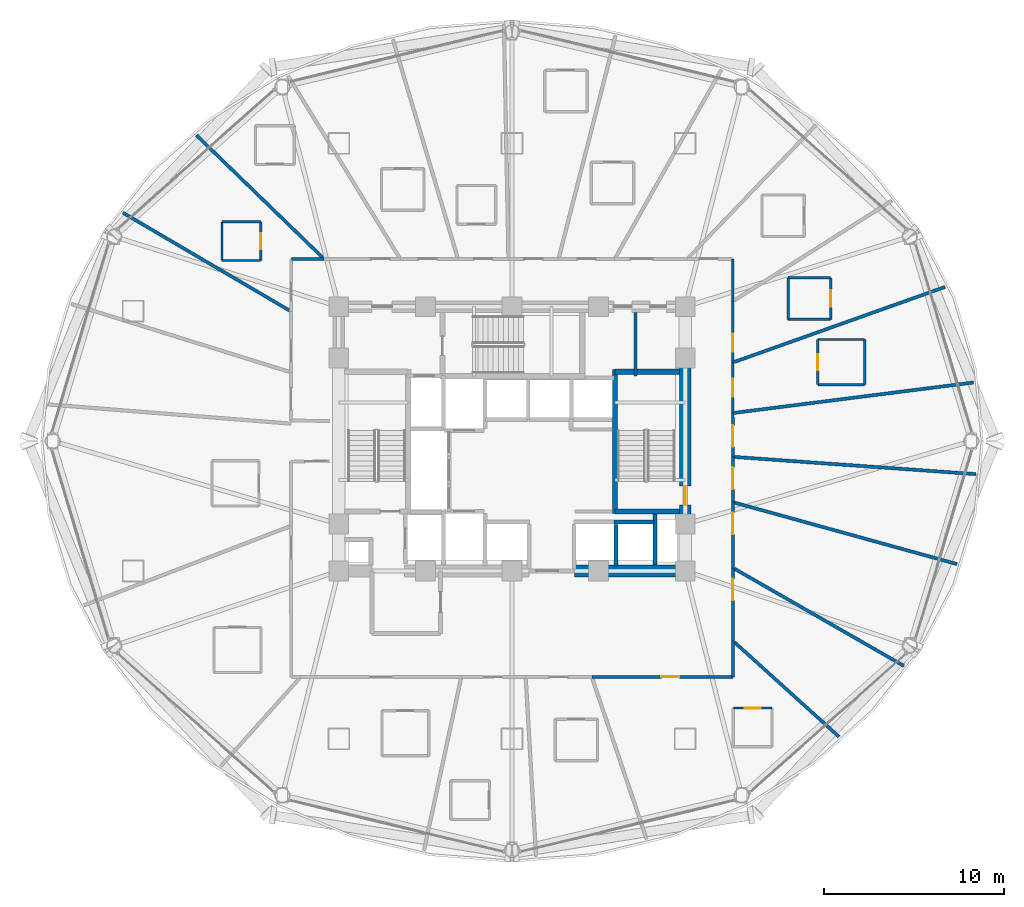
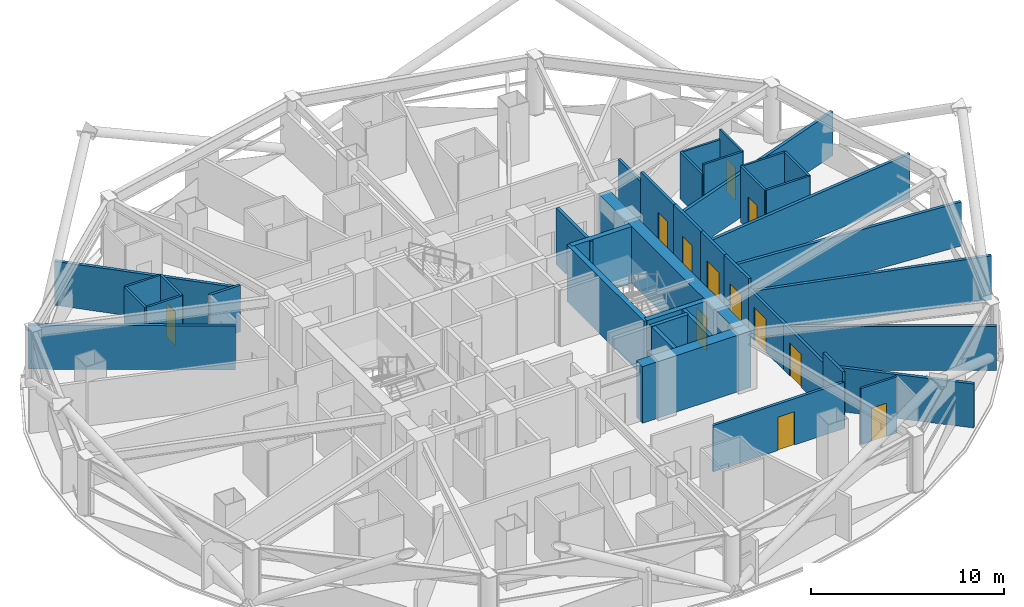
# One storey, part 25 of 31: 40 walls, 12 doors, 12 openings.
"""IFC4 building model written with IfcOpenShell, lengths in metres."""

from ifc_helpers import new_model, si_unit, direction, frame, frame_2d, origin, place, context, subcontext, project, spatial, rectangle, extrude, material, layer, layer_set, type_object, element, fill, save


model = new_model("IFC4")

# Units and contexts
model_context = context("Model", 3, precision=1e-05, world=origin(), true_north=direction((0.0, 1.0)))
body_context = subcontext(model_context, "Body", "Model", "MODEL_VIEW")
ifc_project = project(units=[si_unit("LENGTHUNIT", "METRE"), si_unit("AREAUNIT", "SQUARE_METRE"), si_unit("VOLUMEUNIT", "CUBIC_METRE"), si_unit("PLANEANGLEUNIT", "RADIAN"), si_unit("MASSUNIT", "GRAM", prefix="KILO")], contexts=[model_context])

# Site, building, storey
site_placement = place(None, origin())
site = spatial("IfcSite", under=ifc_project, at=site_placement, CompositionType="ELEMENT")
building_placement = place(site_placement, origin())
building = spatial("IfcBuilding", under=site, at=building_placement, Name="Vantalir Tower", CompositionType="ELEMENT")
storey_placement = place(building_placement, frame((0.0, 0.0, 34.5)))
storey = spatial("IfcBuildingStorey", under=building, at=storey_placement, Name="L07", CompositionType="ELEMENT", Elevation=34.5)

# Walls
ifc_material_1 = material(Name="Moisture-resistant en-suite partition", Category="gypsum")
ifc_layer_1 = layer(ifc_material_1, 0.125)
ifc_layer_set_1 = layer_set([ifc_layer_1], Name="Moisture-resistant en-suite partition")
wall_type_1 = type_object("IfcWallType", Name="WL-BATH-125", PredefinedType="PARTITIONING", material=ifc_layer_set_1)
for number, where, z_axis, x_axis, name in (
    (1, (48.445068359375, 28.1259765625, 0.0), (0.0, 0.0, 1.0), (1.0, 0.0, 0.0), "L07 En-suite 01 South Wall"),
    (2, (48.445068359375, 30.6259765625, 0.0), (0.0, 0.0, 1.0), (1.0, 0.0, 0.0), "L07 En-suite 01 North Wall"),
):
    element("IfcWall", number, at=place(storey_placement, frame(where, z_axis=z_axis, x_axis=x_axis)), inside=storey, type_object=wall_type_1, Name=name, PredefinedType="PARTITIONING", context=body_context, shape_type="SweptSolid", body=[
        extrude(rectangle(XDim=2.599853515625, YDim=0.125, at=frame_2d((1.2998046875, 0.0))), origin(), (0.0, 0.0, 1.0), 3.550048828125),
    ])

# Wall, opening, door
wall_1_placement = place(storey_placement, frame((48.445068359375, 28.1259765625, 0.0), z_axis=(0.0, 0.0, 1.0), x_axis=(0.0, 1.0, 0.0)))
wall_1 = element("IfcWall", 3, at=wall_1_placement, inside=storey, type_object=wall_type_1, Name="L07 En-suite 01 West Wall", PredefinedType="PARTITIONING", context=body_context, shape_type="SweptSolid", body=[
    extrude(rectangle(XDim=2.5, YDim=0.125, at=frame_2d((1.25, 0.0))), origin(), (0.0, 0.0, 1.0), 3.550048828125),
])
opening_1_placement = place(wall_1_placement, frame((0.800048828125, 0.0, 0.0)))
opening_1 = element("IfcOpeningElement", 4, at=opening_1_placement, cuts=wall_1, Name="Opening D-WC", PredefinedType="OPENING", context=body_context, shape_type="SweptSolid", body=[
    extrude(rectangle(XDim=0.89990234375, YDim=2.10009765625, at=frame_2d((0.449951171875, 1.050048828125))), frame((0.0, 0.072509765625, 0.0), z_axis=(0.0, -1.0, 0.0), x_axis=(1.0, 0.0, 0.0)), (0.0, 0.0, 1.0), 0.14501953125),
])
ifc_material_2 = material(Name="Moisture-resistant hardwood door", Category="wood")
door_type_1 = type_object("IfcDoorType", Name="DR-ENSUITE-900", OperationType="NOTDEFINED", PredefinedType="DOOR", material=ifc_material_2)
door_1_placement = place(opening_1_placement, frame((0.89990234375, 0.0, 0.0), z_axis=(0.0, 0.0, 1.0), x_axis=(-1.0, 0.0, 0.0)))
door_1 = element("IfcDoor", 5, at=door_1_placement, inside=storey, type_object=door_type_1, Name="L07 En-suite 01 Door", OperationType="SINGLE_SWING_LEFT", OverallHeight=2.10009765625, OverallWidth=0.89990234375, PredefinedType="DOOR", context=body_context, shape_type="SweptSolid", body=[
    extrude(rectangle(XDim=0.89990234375, YDim=2.10009765625, at=frame_2d((0.449951171875, 1.050048828125))), frame((0.0, 0.02490234375, 0.0), z_axis=(0.0, -1.0, 0.0), x_axis=(1.0, 0.0, 0.0)), (0.0, 0.0, 1.0), 0.050048828125),
])
fill(opening_1, door_1)

# Walls
wall_2_placement = place(storey_placement, frame((51.044921875, 28.1259765625, 0.0), z_axis=(0.0, 0.0, 1.0), x_axis=(0.0, 1.0, 0.0)))
element("IfcWall", 6, at=wall_2_placement, inside=storey, type_object=wall_type_1, Name="L07 En-suite 01 East Wall", PredefinedType="PARTITIONING", context=body_context, shape_type="SweptSolid", body=[
    extrude(rectangle(XDim=2.5, YDim=0.125, at=frame_2d((1.25, 0.0))), origin(), (0.0, 0.0, 1.0), 3.550048828125),
])
wall_3_placement = place(storey_placement, frame((46.80908203125, 31.7509765625, 0.0), z_axis=(0.0, 0.0, 1.0), x_axis=(1.0, 0.0, 0.0)))
element("IfcWall", 7, at=wall_3_placement, inside=storey, type_object=wall_type_1, Name="L07 En-suite 02 South Wall", PredefinedType="PARTITIONING", context=body_context, shape_type="SweptSolid", body=[
    extrude(rectangle(XDim=2.349853515625, YDim=0.125, at=frame_2d((1.1748046875, 0.0))), origin(), (0.0, 0.0, 1.0), 3.550048828125),
])
wall_4_placement = place(storey_placement, frame((46.80908203125, 34.051025390625, 0.0), z_axis=(0.0, 0.0, 1.0), x_axis=(1.0, 0.0, 0.0)))
element("IfcWall", 8, at=wall_4_placement, inside=storey, type_object=wall_type_1, Name="L07 En-suite 02 North Wall", PredefinedType="PARTITIONING", context=body_context, shape_type="SweptSolid", body=[
    extrude(rectangle(XDim=2.349853515625, YDim=0.125, at=frame_2d((1.1748046875, 0.0))), origin(), (0.0, 0.0, 1.0), 2.927978515625),
])
wall_5_placement = place(storey_placement, frame((46.80908203125, 31.7509765625, 0.0), z_axis=(0.0, 0.0, 1.0), x_axis=(0.0, 1.0, 0.0)))
element("IfcWall", 9, at=wall_5_placement, inside=storey, type_object=wall_type_1, Name="L07 En-suite 02 West Wall", PredefinedType="PARTITIONING", context=body_context, shape_type="SweptSolid", body=[
    extrude(rectangle(XDim=2.300048828125, YDim=0.125, at=frame_2d((1.14990234375, 0.0))), origin(), (0.0, 0.0, 1.0), 2.927978515625),
])

# Wall, opening, door
wall_6_placement = place(storey_placement, frame((49.158935546875, 31.7509765625, 0.0), z_axis=(0.0, 0.0, 1.0), x_axis=(0.0, 1.0, 0.0)))
wall_6 = element("IfcWall", 10, at=wall_6_placement, inside=storey, type_object=wall_type_1, Name="L07 En-suite 02 East Wall", PredefinedType="PARTITIONING", context=body_context, shape_type="SweptSolid", body=[
    extrude(rectangle(XDim=2.300048828125, YDim=0.125, at=frame_2d((1.14990234375, 0.0))), origin(), (0.0, 0.0, 1.0), 3.550048828125),
])
opening_2_placement = place(wall_6_placement, frame((0.699951171875, 0.0, 0.0)))
opening_2 = element("IfcOpeningElement", 11, at=opening_2_placement, cuts=wall_6, Name="Opening D-WC", PredefinedType="OPENING", context=body_context, shape_type="SweptSolid", body=[
    extrude(rectangle(XDim=0.89990234375, YDim=2.10009765625, at=frame_2d((0.449951171875, 1.050048828125))), frame((0.0, 0.072509765625, 0.0), z_axis=(0.0, -1.0, 0.0), x_axis=(1.0, 0.0, 0.0)), (0.0, 0.0, 1.0), 0.14501953125),
])
door_2_placement = place(opening_2_placement, origin())
door_2 = element("IfcDoor", 12, at=door_2_placement, inside=storey, type_object=door_type_1, Name="L07 En-suite 02 Door", OperationType="SINGLE_SWING_RIGHT", OverallHeight=2.10009765625, OverallWidth=0.89990234375, PredefinedType="DOOR", context=body_context, shape_type="SweptSolid", body=[
    extrude(rectangle(XDim=0.89990234375, YDim=2.10009765625, at=frame_2d((0.449951171875, 1.050048828125))), frame((0.0, 0.02490234375, 0.0), z_axis=(0.0, -1.0, 0.0), x_axis=(1.0, 0.0, 0.0)), (0.0, 0.0, 1.0), 0.050048828125),
])
fill(opening_2, door_2)

# Walls
for number, where, z_axis, x_axis, name in (
    (13, (15.423095703125, 35.008056640625, 0.0), (0.0, 0.0, 1.0), (1.0, 0.0, 0.0), "L07 En-suite 10 South Wall"),
    (14, (15.423095703125, 37.157958984375, 0.0), (0.0, 0.0, 1.0), (1.0, 0.0, 0.0), "L07 En-suite 10 North Wall"),
    (15, (15.423095703125, 35.008056640625, 0.0), (0.0, 0.0, 1.0), (0.0, 1.0, 0.0), "L07 En-suite 10 West Wall"),
):
    element("IfcWall", number, at=place(storey_placement, frame(where, z_axis=z_axis, x_axis=x_axis)), inside=storey, type_object=wall_type_1, Name=name, PredefinedType="PARTITIONING", context=body_context, shape_type="SweptSolid", body=[
        extrude(rectangle(XDim=2.14990234375, YDim=0.125, at=frame_2d((1.074951171875, 0.0))), origin(), (0.0, 0.0, 1.0), 3.550048828125),
    ])

# Wall, opening, door
wall_7_placement = place(storey_placement, frame((17.572998046875, 35.008056640625, 0.0), z_axis=(0.0, 0.0, 1.0), x_axis=(0.0, 1.0, 0.0)))
wall_7 = element("IfcWall", 16, at=wall_7_placement, inside=storey, type_object=wall_type_1, Name="L07 En-suite 10 East Wall", PredefinedType="PARTITIONING", context=body_context, shape_type="SweptSolid", body=[
    extrude(rectangle(XDim=2.14990234375, YDim=0.125, at=frame_2d((1.074951171875, 0.0))), origin(), (0.0, 0.0, 1.0), 3.550048828125),
])
opening_3_placement = place(wall_7_placement, frame((0.625, 0.0, 0.0)))
opening_3 = element("IfcOpeningElement", 17, at=opening_3_placement, cuts=wall_7, Name="Opening D-WC", PredefinedType="OPENING", context=body_context, shape_type="SweptSolid", body=[
    extrude(rectangle(XDim=0.89990234375, YDim=2.10009765625, at=frame_2d((0.449951171875, 1.050048828125))), frame((0.0, 0.072509765625, 0.0), z_axis=(0.0, -1.0, 0.0), x_axis=(1.0, 0.0, 0.0)), (0.0, 0.0, 1.0), 0.14501953125),
])
door_3_placement = place(opening_3_placement, origin())
door_3 = element("IfcDoor", 18, at=door_3_placement, inside=storey, type_object=door_type_1, Name="L07 En-suite 10 Door", OperationType="SINGLE_SWING_RIGHT", OverallHeight=2.10009765625, OverallWidth=0.89990234375, PredefinedType="DOOR", context=body_context, shape_type="SweptSolid", body=[
    extrude(rectangle(XDim=0.89990234375, YDim=2.10009765625, at=frame_2d((0.449951171875, 1.050048828125))), frame((0.0, 0.02490234375, 0.0), z_axis=(0.0, -1.0, 0.0), x_axis=(1.0, 0.0, 0.0)), (0.0, 0.0, 1.0), 0.050048828125),
])
fill(opening_3, door_3)

wall_8_placement = place(storey_placement, frame((43.761962890625, 10.2060546875, 0.0), z_axis=(0.0, 0.0, 1.0), x_axis=(1.0, 0.0, 0.0)))
wall_8 = element("IfcWall", 19, at=wall_8_placement, inside=storey, type_object=wall_type_1, Name="L07 En-suite 18 North Wall", PredefinedType="PARTITIONING", context=body_context, shape_type="SweptSolid", body=[
    extrude(rectangle(XDim=2.150146484375, YDim=0.125, at=frame_2d((1.0751953125, 0.0))), origin(), (0.0, 0.0, 1.0), 3.550048828125),
])
opening_4_placement = place(wall_8_placement, frame((0.625, 0.0, 0.0)))
opening_4 = element("IfcOpeningElement", 20, at=opening_4_placement, cuts=wall_8, Name="Opening D-WC", PredefinedType="OPENING", context=body_context, shape_type="SweptSolid", body=[
    extrude(rectangle(XDim=0.89990234375, YDim=2.10009765625, at=frame_2d((0.449951171875, 1.050048828125))), frame((0.0, 0.072509765625, 0.0), z_axis=(0.0, -1.0, 0.0), x_axis=(1.0, 0.0, 0.0)), (0.0, 0.0, 1.0), 0.14501953125),
])
door_4_placement = place(opening_4_placement, frame((0.89990234375, 0.0, 0.0), z_axis=(0.0, 0.0, 1.0), x_axis=(-1.0, 0.0, 0.0)))
door_4 = element("IfcDoor", 21, at=door_4_placement, inside=storey, type_object=door_type_1, Name="L07 En-suite 18 Door", OperationType="SINGLE_SWING_RIGHT", OverallHeight=2.10009765625, OverallWidth=0.89990234375, PredefinedType="DOOR", context=body_context, shape_type="SweptSolid", body=[
    extrude(rectangle(XDim=0.89990234375, YDim=2.10009765625, at=frame_2d((0.449951171875, 1.050048828125))), frame((0.0, 0.02490234375, 0.0), z_axis=(0.0, -1.0, 0.0), x_axis=(1.0, 0.0, 0.0)), (0.0, 0.0, 1.0), 0.050048828125),
])
fill(opening_4, door_4)

# Wall
ifc_material_3 = material(Name="Concrete C60/75", Category="concrete")
ifc_layer_2 = layer(ifc_material_3, 0.64990234375)
ifc_layer_set_2 = layer_set([ifc_layer_2], Name="Concrete C60/75")
wall_type_2 = type_object("IfcWallType", Name="WL-CORE-650", PredefinedType="SHEAR", material=ifc_layer_set_2)
wall_9_placement = place(storey_placement, frame((34.949951171875, 17.800048828125, 0.0), z_axis=(0.0, 0.0, 1.0), x_axis=(1.0, 0.0, 0.0)))
element("IfcWall", 22, at=wall_9_placement, inside=storey, type_object=wall_type_2, Name="L07 Core Shear Wall South-East", PredefinedType="SHEAR", context=body_context, shape_type="SweptSolid", body=[
    extrude(rectangle(XDim=6.47509765625, YDim=0.64990234375, at=frame_2d((3.237548828125, 0.0))), origin(), (0.0, 0.0, 1.0), 3.570068359375),
])

# Wall, opening, door
wall_10_placement = place(storey_placement, frame((41.10009765625, 18.125, 0.0), z_axis=(0.0, 0.0, 1.0), x_axis=(0.0, 1.0, 0.0)))
wall_10 = element("IfcWall", 23, at=wall_10_placement, inside=storey, type_object=wall_type_2, Name="L07 Core Shear Wall East", PredefinedType="SHEAR", context=body_context, shape_type="SweptSolid", body=[
    extrude(rectangle(XDim=14.0, YDim=0.64990234375, at=frame_2d((7.0, 0.0))), origin(), (0.0, 0.0, 1.0), 3.570068359375),
])
opening_5_placement = place(wall_10_placement, frame((3.3349609375, 0.0, 0.0)))
opening_5 = element("IfcOpeningElement", 24, at=opening_5_placement, cuts=wall_10, Name="Opening D-ST", PredefinedType="OPENING", context=body_context, shape_type="SweptSolid", body=[
    extrude(rectangle(XDim=1.050048828125, YDim=2.10009765625, at=frame_2d((0.52490234375, 1.050048828125))), frame((0.0, 0.3349609375, 0.0), z_axis=(0.0, -1.0, 0.0), x_axis=(1.0, 0.0, 0.0)), (0.0, 0.0, 1.0), 0.669921875),
])
ifc_material_4 = material(Name="Fire-rated steel door leaf", Category="steel")
door_type_2 = type_object("IfcDoorType", Name="DR-FIRE-STAIR-1050", OperationType="NOTDEFINED", PredefinedType="DOOR", material=ifc_material_4)
door_5_placement = place(opening_5_placement, origin())
door_5 = element("IfcDoor", 25, at=door_5_placement, inside=storey, type_object=door_type_2, Name="L07 Exit Stair ST2 Fire Door", OperationType="SINGLE_SWING_LEFT", OverallHeight=2.10009765625, OverallWidth=1.050048828125, PredefinedType="DOOR", context=body_context, shape_type="SweptSolid", body=[
    extrude(rectangle(XDim=1.050048828125, YDim=2.10009765625, at=frame_2d((0.52490234375, 1.050048828125))), frame((0.0, 0.02490234375, 0.0), z_axis=(0.0, -1.0, 0.0), x_axis=(1.0, 0.0, 0.0)), (0.0, 0.0, 1.0), 0.050048828125),
])
fill(opening_5, door_5)

# Walls
ifc_material_5 = material(Name="Fire-rated hotel corridor acoustic partition", Category="gypsum")
ifc_layer_3 = layer(ifc_material_5, 0.159912109375)
ifc_layer_set_3 = layer_set([ifc_layer_3], Name="Fire-rated hotel corridor acoustic partition")
wall_type_3 = type_object("IfcWallType", Name="WL-CORR-160", PredefinedType="PARTITIONING", material=ifc_layer_set_3)
wall_11_placement = place(storey_placement, frame((19.26904296875, 35.097900390625, 0.0), z_axis=(0.0, 0.0, 1.0), x_axis=(1.0, 0.0, 0.0)))
element("IfcWall", 26, at=wall_11_placement, inside=storey, type_object=wall_type_3, Name="L07 Corridor Partition 05", PredefinedType="PARTITIONING", context=body_context, shape_type="SweptSolid", body=[
    extrude(rectangle(XDim=1.81396484375, YDim=0.159912109375, at=frame_2d((0.906982421875, 0.0))), origin(), (0.0, 0.0, 1.0), 2.927978515625),
])
wall_12_placement = place(storey_placement, frame((43.73095703125, 35.097900390625, 0.0), z_axis=(0.0, 0.0, 1.0), x_axis=(0.000829359035, -0.999999656082, 0.0)))
element("IfcWall", 27, at=wall_12_placement, inside=storey, type_object=wall_type_3, Name="L07 Corridor Partition 13", PredefinedType="PARTITIONING", context=body_context, shape_type="SweptSolid", body=[
    extrude(rectangle(XDim=2.35498046875, YDim=0.159912109375, at=frame_2d((1.177490234375, 0.0))), origin(), (0.0, 0.0, 1.0), 2.927978515625),
])

# Wall, opening, door
wall_13_placement = place(storey_placement, frame((43.73291015625, 32.742919921875, 0.0), z_axis=(0.0, 0.0, 1.0), x_axis=(0.000648742025, -0.999999789567, 0.0)))
wall_13 = element("IfcWall", 28, at=wall_13_placement, inside=storey, type_object=wall_type_3, Name="L07 Corridor Partition 14", PredefinedType="PARTITIONING", context=body_context, shape_type="SweptSolid", body=[
    extrude(rectangle(XDim=3.386962890625, YDim=0.159912109375, at=frame_2d((1.693359375, 0.0))), origin(), (0.0, 0.0, 1.0), 3.550048828125),
])
opening_6_placement = place(wall_13_placement, frame((1.783935546875, 0.0, 0.0)))
opening_6 = element("IfcOpeningElement", 29, at=opening_6_placement, cuts=wall_13, Name="Opening D-GUEST", PredefinedType="OPENING", context=body_context, shape_type="SweptSolid", body=[
    extrude(rectangle(XDim=1.0, YDim=2.10009765625, at=frame_2d((0.5, 1.050048828125))), frame((0.0, 0.08984375, 0.0), z_axis=(0.0, -1.0, 0.0), x_axis=(1.0, 0.0, 0.0)), (0.0, 0.0, 1.0), 0.179931640625),
])
ifc_material_6 = material(Name="Solid-core teak veneer acoustic fire door", Category="wood")
door_type_3 = type_object("IfcDoorType", Name="DR-GUEST-ENTRY-1000", OperationType="NOTDEFINED", PredefinedType="DOOR", material=ifc_material_6)
door_6_placement = place(opening_6_placement, origin())
door_6 = element("IfcDoor", 30, at=door_6_placement, inside=storey, type_object=door_type_3, Name="L07 Deluxe King Hotel Room 02 Door", OperationType="SINGLE_SWING_RIGHT", OverallHeight=2.10009765625, OverallWidth=1.0, PredefinedType="DOOR", context=body_context, shape_type="SweptSolid", body=[
    extrude(rectangle(XDim=1.0, YDim=2.10009765625, at=frame_2d((0.5, 1.050048828125))), frame((0.0, 0.02490234375, 0.0), z_axis=(0.0, -1.0, 0.0), x_axis=(1.0, 0.0, 0.0)), (0.0, 0.0, 1.0), 0.050048828125),
])
fill(opening_6, door_6)

wall_14_placement = place(storey_placement, frame((43.735107421875, 29.35595703125, 0.0), z_axis=(0.0, 0.0, 1.0), x_axis=(0.000697046097, -0.999999757063, 0.0)))
wall_14 = element("IfcWall", 31, at=wall_14_placement, inside=storey, type_object=wall_type_3, Name="L07 Corridor Partition 15", PredefinedType="PARTITIONING", context=body_context, shape_type="SweptSolid", body=[
    extrude(rectangle(XDim=2.802001953125, YDim=0.159912109375, at=frame_2d((1.40087890625, 0.0))), origin(), (0.0, 0.0, 1.0), 3.550048828125),
])
opening_7_placement = place(wall_14_placement, frame((0.90087890625, 0.0, 0.0)))
opening_7 = element("IfcOpeningElement", 32, at=opening_7_placement, cuts=wall_14, Name="Opening D-GUEST", PredefinedType="OPENING", context=body_context, shape_type="SweptSolid", body=[
    extrude(rectangle(XDim=1.0, YDim=2.10009765625, at=frame_2d((0.5, 1.050048828125))), frame((0.0, 0.08984375, 0.0), z_axis=(0.0, -1.0, 0.0), x_axis=(1.0, 0.0, 0.0)), (0.0, 0.0, 1.0), 0.179931640625),
])
door_7_placement = place(opening_7_placement, origin())
door_7 = element("IfcDoor", 33, at=door_7_placement, inside=storey, type_object=door_type_3, Name="L07 Twin Queen Hotel Room 01 Door", OperationType="SINGLE_SWING_LEFT", OverallHeight=2.10009765625, OverallWidth=1.0, PredefinedType="DOOR", context=body_context, shape_type="SweptSolid", body=[
    extrude(rectangle(XDim=1.0, YDim=2.10009765625, at=frame_2d((0.5, 1.050048828125))), frame((0.0, 0.02490234375, 0.0), z_axis=(0.0, -1.0, 0.0), x_axis=(1.0, 0.0, 0.0)), (0.0, 0.0, 1.0), 0.050048828125),
])
fill(opening_7, door_7)

wall_15_placement = place(storey_placement, frame((43.737060546875, 26.553955078125, 0.0), z_axis=(0.0, 0.0, 1.0), x_axis=(0.000805395893, -0.999999675669, 0.0)))
wall_15 = element("IfcWall", 34, at=wall_15_placement, inside=storey, type_object=wall_type_3, Name="L07 Corridor Partition 16", PredefinedType="PARTITIONING", context=body_context, shape_type="SweptSolid", body=[
    extrude(rectangle(XDim=2.425048828125, YDim=0.159912109375, at=frame_2d((1.21240234375, 0.0))), origin(), (0.0, 0.0, 1.0), 3.550048828125),
])
opening_8_placement = place(wall_15_placement, frame((0.677001953125, 0.0, 0.0)))
opening_8 = element("IfcOpeningElement", 35, at=opening_8_placement, cuts=wall_15, Name="Opening D-STE", PredefinedType="OPENING", context=body_context, shape_type="SweptSolid", body=[
    extrude(rectangle(XDim=1.199951171875, YDim=2.10009765625, at=frame_2d((0.60009765625, 1.050048828125))), frame((0.0, 0.08984375, 0.0), z_axis=(0.0, -1.0, 0.0), x_axis=(1.0, 0.0, 0.0)), (0.0, 0.0, 1.0), 0.179931640625),
])
ifc_material_7 = material(Name="Solid-core teak veneer suite entrance door", Category="wood")
door_type_4 = type_object("IfcDoorType", Name="DR-SUITE-ENTRY-1200", OperationType="NOTDEFINED", PredefinedType="DOOR", material=ifc_material_7)
door_8_placement = place(opening_8_placement, origin())
door_8 = element("IfcDoor", 36, at=door_8_placement, inside=storey, type_object=door_type_4, Name="L07 Executive Sky Boardroom 22 Door", OperationType="SINGLE_SWING_RIGHT", OverallHeight=2.10009765625, OverallWidth=1.199951171875, PredefinedType="DOOR", context=body_context, shape_type="SweptSolid", body=[
    extrude(rectangle(XDim=1.199951171875, YDim=2.10009765625, at=frame_2d((0.60009765625, 1.050048828125))), frame((0.0, 0.02490234375, 0.0), z_axis=(0.0, -1.0, 0.0), x_axis=(1.0, 0.0, 0.0)), (0.0, 0.0, 1.0), 0.050048828125),
])
fill(opening_8, door_8)

wall_16_placement = place(storey_placement, frame((43.739013671875, 24.12890625, 0.0), z_axis=(0.0, 0.0, 1.0), x_axis=(0.000777529165, -0.999999697724, 0.0)))
wall_16 = element("IfcWall", 37, at=wall_16_placement, inside=storey, type_object=wall_type_3, Name="L07 Corridor Partition 17", PredefinedType="PARTITIONING", context=body_context, shape_type="SweptSolid", body=[
    extrude(rectangle(XDim=2.511962890625, YDim=0.159912109375, at=frame_2d((1.255859375, 0.0))), origin(), (0.0, 0.0, 1.0), 3.550048828125),
])
opening_9_placement = place(wall_16_placement, frame((0.5849609375, 0.0, 0.0)))
opening_9 = element("IfcOpeningElement", 38, at=opening_9_placement, cuts=wall_16, Name="Opening D-STE", PredefinedType="OPENING", context=body_context, shape_type="SweptSolid", body=[
    extrude(rectangle(XDim=1.199951171875, YDim=2.10009765625, at=frame_2d((0.60009765625, 1.050048828125))), frame((0.0, 0.08984375, 0.0), z_axis=(0.0, -1.0, 0.0), x_axis=(1.0, 0.0, 0.0)), (0.0, 0.0, 1.0), 0.179931640625),
])
door_9_placement = place(opening_9_placement, origin())
door_9 = element("IfcDoor", 39, at=door_9_placement, inside=storey, type_object=door_type_4, Name="L07 Club Reading Lounge 21 Door", OperationType="SINGLE_SWING_LEFT", OverallHeight=2.10009765625, OverallWidth=1.199951171875, PredefinedType="DOOR", context=body_context, shape_type="SweptSolid", body=[
    extrude(rectangle(XDim=1.199951171875, YDim=2.10009765625, at=frame_2d((0.60009765625, 1.050048828125))), frame((0.0, 0.02490234375, 0.0), z_axis=(0.0, -1.0, 0.0), x_axis=(1.0, 0.0, 0.0)), (0.0, 0.0, 1.0), 0.050048828125),
])
fill(opening_9, door_9)

wall_17_placement = place(storey_placement, frame((43.740966796875, 21.616943359375, 0.0), z_axis=(0.0, 0.0, 1.0), x_axis=(0.00053658856, -0.999999856036, 0.0)))
wall_17 = element("IfcWall", 40, at=wall_17_placement, inside=storey, type_object=wall_type_3, Name="L07 Corridor Partition 18", PredefinedType="PARTITIONING", context=body_context, shape_type="SweptSolid", body=[
    extrude(rectangle(XDim=3.639892578125, YDim=0.159912109375, at=frame_2d((1.81982421875, 0.0))), origin(), (0.0, 0.0, 1.0), 2.927978515625),
])
opening_10_placement = place(wall_17_placement, frame((0.583984375, 0.0, 0.0)))
opening_10 = element("IfcOpeningElement", 41, at=opening_10_placement, cuts=wall_17, Name="Opening D-STE", PredefinedType="OPENING", context=body_context, shape_type="SweptSolid", body=[
    extrude(rectangle(XDim=1.199951171875, YDim=2.10009765625, at=frame_2d((0.60009765625, 1.050048828125))), frame((0.0, 0.08984375, 0.0), z_axis=(0.0, -1.0, 0.0), x_axis=(1.0, 0.0, 0.0)), (0.0, 0.0, 1.0), 0.179931640625),
])
door_10_placement = place(opening_10_placement, origin())
door_10 = element("IfcDoor", 42, at=door_10_placement, inside=storey, type_object=door_type_4, Name="L07 Club Reading Lounge 20 Door", OperationType="SINGLE_SWING_RIGHT", OverallHeight=2.10009765625, OverallWidth=1.199951171875, PredefinedType="DOOR", context=body_context, shape_type="SweptSolid", body=[
    extrude(rectangle(XDim=1.199951171875, YDim=2.10009765625, at=frame_2d((0.60009765625, 1.050048828125))), frame((0.0, 0.02490234375, 0.0), z_axis=(0.0, -1.0, 0.0), x_axis=(1.0, 0.0, 0.0)), (0.0, 0.0, 1.0), 0.050048828125),
])
fill(opening_10, door_10)

wall_18_placement = place(storey_placement, frame((43.742919921875, 17.97705078125, 0.0), z_axis=(0.0, 0.0, 1.0), x_axis=(0.000784218858, -0.9999996925, 0.0)))
wall_18 = element("IfcWall", 43, at=wall_18_placement, inside=storey, type_object=wall_type_3, Name="L07 Corridor Partition 19", PredefinedType="PARTITIONING", context=body_context, shape_type="SweptSolid", body=[
    extrude(rectangle(XDim=4.047119140625, YDim=0.159912109375, at=frame_2d((2.0234375, 0.0))), origin(), (0.0, 0.0, 1.0), 2.927978515625),
])
opening_11_placement = place(wall_18_placement, frame((0.60595703125, 0.0, 0.0)))
opening_11 = element("IfcOpeningElement", 44, at=opening_11_placement, cuts=wall_18, Name="Opening D-STE", PredefinedType="OPENING", context=body_context, shape_type="SweptSolid", body=[
    extrude(rectangle(XDim=1.199951171875, YDim=2.10009765625, at=frame_2d((0.60009765625, 1.050048828125))), frame((0.0, 0.08984375, 0.0), z_axis=(0.0, -1.0, 0.0), x_axis=(1.0, 0.0, 0.0)), (0.0, 0.0, 1.0), 0.179931640625),
])
door_11_placement = place(opening_11_placement, origin())
door_11 = element("IfcDoor", 45, at=door_11_placement, inside=storey, type_object=door_type_4, Name="L07 Executive Business Study 19 Door", OperationType="SINGLE_SWING_LEFT", OverallHeight=2.10009765625, OverallWidth=1.199951171875, PredefinedType="DOOR", context=body_context, shape_type="SweptSolid", body=[
    extrude(rectangle(XDim=1.199951171875, YDim=2.10009765625, at=frame_2d((0.60009765625, 1.050048828125))), frame((0.0, 0.02490234375, 0.0), z_axis=(0.0, -1.0, 0.0), x_axis=(1.0, 0.0, 0.0)), (0.0, 0.0, 1.0), 0.050048828125),
])
fill(opening_11, door_11)

# Wall
wall_19_placement = place(storey_placement, frame((43.74609375, 13.929931640625, 0.0), z_axis=(0.0, 0.0, 1.0), x_axis=(0.000978592804, -0.999999521178, 0.0)))
element("IfcWall", 46, at=wall_19_placement, inside=storey, type_object=wall_type_3, Name="L07 Corridor Partition 20", PredefinedType="PARTITIONING", context=body_context, shape_type="SweptSolid", body=[
    extrude(rectangle(XDim=1.995849609375, YDim=0.159912109375, at=frame_2d((0.998046875, 0.0))), origin(), (0.0, 0.0, 1.0), 3.550048828125),
])

# Wall, opening, door
wall_20_placement = place(storey_placement, frame((43.748046875, 11.93408203125, 0.0), z_axis=(0.0, 0.0, 1.0), x_axis=(-0.999999695966, -0.000779787661, 0.0)))
wall_20 = element("IfcWall", 47, at=wall_20_placement, inside=storey, type_object=wall_type_3, Name="L07 Corridor Partition 21", PredefinedType="PARTITIONING", context=body_context, shape_type="SweptSolid", body=[
    extrude(rectangle(XDim=7.8271484375, YDim=0.159912109375, at=frame_2d((3.91357421875, 0.0))), origin(), (0.0, 0.0, 1.0), 2.927978515625),
])
opening_12_placement = place(wall_20_placement, frame((2.969970703125, 0.0, 0.0)))
opening_12 = element("IfcOpeningElement", 48, at=opening_12_placement, cuts=wall_20, Name="Opening D-GUEST", PredefinedType="OPENING", context=body_context, shape_type="SweptSolid", body=[
    extrude(rectangle(XDim=1.0, YDim=2.10009765625, at=frame_2d((0.5, 1.050048828125))), frame((0.0, 0.08984375, 0.0), z_axis=(0.0, -1.0, 0.0), x_axis=(1.0, 0.0, 0.0)), (0.0, 0.0, 1.0), 0.179931640625),
])
door_12_placement = place(opening_12_placement, origin())
door_12 = element("IfcDoor", 49, at=door_12_placement, inside=storey, type_object=door_type_3, Name="L07 Twin Queen Hotel Room 18 Door", OperationType="SINGLE_SWING_RIGHT", OverallHeight=2.10009765625, OverallWidth=1.0, PredefinedType="DOOR", context=body_context, shape_type="SweptSolid", body=[
    extrude(rectangle(XDim=1.0, YDim=2.10009765625, at=frame_2d((0.5, 1.050048828125))), frame((0.0, 0.02490234375, 0.0), z_axis=(0.0, -1.0, 0.0), x_axis=(1.0, 0.0, 0.0)), (0.0, 0.0, 1.0), 0.050048828125),
])
fill(opening_12, door_12)

# Walls
ifc_material_8 = material(Name="Concrete blockwork with fireboard lining", Category="masonry")
ifc_layer_4 = layer(ifc_material_8, 0.219970703125)
ifc_layer_set_4 = layer_set([ifc_layer_4], Name="Concrete blockwork with fireboard lining")
wall_type_4 = type_object("IfcWallType", Name="WL-FFL-220", PredefinedType="PARTITIONING", material=ifc_layer_set_4)
wall_21_placement = place(storey_placement, frame((37.27490234375, 18.080078125, 0.0), z_axis=(0.0, 0.0, 1.0), x_axis=(0.0, 1.0, 0.0)))
element("IfcWall", 50, at=wall_21_placement, inside=storey, type_object=wall_type_4, Name="L07 Shuttle Lift PL-X2/X3 Shaft Divider", PredefinedType="PARTITIONING", context=body_context, shape_type="SweptSolid", body=[
    extrude(rectangle(XDim=2.309814453125, YDim=0.219970703125, at=frame_2d((1.15478515625, 0.0))), origin(), (0.0, 0.0, 1.0), 3.544921875),
])
wall_22_placement = place(storey_placement, frame((39.419921875, 18.125, 0.0), z_axis=(0.0, 0.0, 1.0), x_axis=(0.0, 1.0, 0.0)))
element("IfcWall", 51, at=wall_22_placement, inside=storey, type_object=wall_type_4, Name="L07 East MEP Riser Wall W", PredefinedType="PARTITIONING", context=body_context, shape_type="SweptSolid", body=[
    extrude(rectangle(XDim=2.824951171875, YDim=0.219970703125, at=frame_2d((1.41259765625, 0.0))), origin(), (0.0, 0.0, 1.0), 3.550048828125),
])
wall_23_placement = place(storey_placement, frame((37.139892578125, 20.510009765625, 0.0), z_axis=(0.0, 0.0, 1.0), x_axis=(1.0, 0.0, 0.0)))
element("IfcWall", 52, at=wall_23_placement, inside=storey, type_object=wall_type_4, Name="L07 Lift PL-X2 Shaft Rear Wall", PredefinedType="PARTITIONING", context=body_context, shape_type="SweptSolid", body=[
    extrude(rectangle(XDim=2.239990234375, YDim=0.219970703125, at=frame_2d((1.1201171875, 0.0))), origin(), (0.0, 0.0, 1.0), 3.550048828125),
])
ifc_material_9 = material(Name="Twin-stud acoustic fire-rated gypsum partition", Category="gypsum")
ifc_layer_5 = layer(ifc_material_9, 0.179931640625)
ifc_layer_set_5 = layer_set([ifc_layer_5], Name="Twin-stud acoustic fire-rated gypsum partition")
wall_type_5 = type_object("IfcWallType", Name="WL-GUEST-180", PredefinedType="PARTITIONING", material=ifc_layer_set_5)
wall_24_placement = place(storey_placement, frame((38.340087890625, 28.6201171875, 0.0), z_axis=(0.0, 0.0, 1.0), x_axis=(0.0, 1.0, 0.0)))
element("IfcWall", 53, at=wall_24_placement, inside=storey, type_object=wall_type_5, Name="L07 High-Rise Lift Lobby East Wall", PredefinedType="PARTITIONING", context=body_context, shape_type="SweptSolid", body=[
    extrude(rectangle(XDim=3.5048828125, YDim=0.179931640625, at=frame_2d((1.75244140625, 0.0))), origin(), (0.0, 0.0, 1.0), 3.550048828125),
])
wall_25_placement = place(storey_placement, frame((43.827880859375, 26.56591796875, 0.0), z_axis=(0.0, 0.0, 1.0), x_axis=(0.992023068276, 0.126056463571, 0.0)))
element("IfcWall", 54, at=wall_25_placement, inside=storey, type_object=wall_type_5, Name="L07 Radial Suite Partition 01", PredefinedType="PARTITIONING", context=body_context, shape_type="SweptSolid", body=[
    extrude(rectangle(XDim=13.35986328125, YDim=0.179931640625, at=frame_2d((6.679931640625, 0.0))), origin(), (0.0, 0.0, 1.0), 2.77490234375),
])
wall_26_placement = place(storey_placement, frame((43.827880859375, 29.388916015625, 0.0), z_axis=(0.0, 0.0, 1.0), x_axis=(0.942065496638, 0.335428979136, 0.0)))
element("IfcWall", 55, at=wall_26_placement, inside=storey, type_object=wall_type_5, Name="L07 Radial Suite Partition 02", PredefinedType="PARTITIONING", context=body_context, shape_type="SweptSolid", body=[
    extrude(rectangle(XDim=12.39306640625, YDim=0.179931640625, at=frame_2d((6.196533203125, 0.0))), origin(), (0.0, 0.0, 1.0), 2.77490234375),
])
wall_27_placement = place(storey_placement, frame((21.0009765625, 35.177978515625, 0.0), z_axis=(0.0, 0.0, 1.0), x_axis=(-0.718054179186, 0.695987209475, 0.0)))
element("IfcWall", 56, at=wall_27_placement, inside=storey, type_object=wall_type_5, Name="L07 Radial Suite Partition 10", PredefinedType="PARTITIONING", context=body_context, shape_type="SweptSolid", body=[
    extrude(rectangle(XDim=9.736083984375, YDim=0.179931640625, at=frame_2d((4.8681640625, 0.0))), origin(), (0.0, 0.0, 1.0), 2.77490234375),
])
wall_28_placement = place(storey_placement, frame((19.172119140625, 32.237060546875, 0.0), z_axis=(0.0, 0.0, 1.0), x_axis=(-0.862410808358, 0.506209045382, 0.0)))
element("IfcWall", 57, at=wall_28_placement, inside=storey, type_object=wall_type_5, Name="L07 Radial Suite Partition 11", PredefinedType="PARTITIONING", context=body_context, shape_type="SweptSolid", body=[
    extrude(rectangle(XDim=10.710693359375, YDim=0.179931640625, at=frame_2d((5.35546875, 0.0))), origin(), (0.0, 0.0, 1.0), 2.77490234375),
])
wall_29_placement = place(storey_placement, frame((43.827880859375, 13.85693359375, 0.0), z_axis=(0.0, 0.0, 1.0), x_axis=(0.741781355669, -0.670641797372, 0.0)))
element("IfcWall", 58, at=wall_29_placement, inside=storey, type_object=wall_type_5, Name="L07 Radial Suite Partition 19", PredefinedType="PARTITIONING", context=body_context, shape_type="SweptSolid", body=[
    extrude(rectangle(XDim=7.81787109375, YDim=0.179931640625, at=frame_2d((3.908935546875, 0.0))), origin(), (0.0, 0.0, 1.0), 2.77490234375),
])
wall_30_placement = place(storey_placement, frame((43.827880859375, 17.928955078125, 0.0), z_axis=(0.0, 0.0, 1.0), x_axis=(0.867388624236, -0.49763136411, 0.0)))
element("IfcWall", 59, at=wall_30_placement, inside=storey, type_object=wall_type_5, Name="L07 Radial Suite Partition 20", PredefinedType="PARTITIONING", context=body_context, shape_type="SweptSolid", body=[
    extrude(rectangle(XDim=10.8291015625, YDim=0.179931640625, at=frame_2d((5.41455078125, 0.0))), origin(), (0.0, 0.0, 1.0), 2.77490234375),
])
wall_31_placement = place(storey_placement, frame((43.827880859375, 21.593017578125, 0.0), z_axis=(0.0, 0.0, 1.0), x_axis=(0.963880742978, -0.266334213567, 0.0)))
element("IfcWall", 60, at=wall_31_placement, inside=storey, type_object=wall_type_5, Name="L07 Radial Suite Partition 21", PredefinedType="PARTITIONING", context=body_context, shape_type="SweptSolid", body=[
    extrude(rectangle(XDim=12.799560546875, YDim=0.179931640625, at=frame_2d((6.39990234375, 0.0))), origin(), (0.0, 0.0, 1.0), 2.77490234375),
])
wall_32_placement = place(storey_placement, frame((43.827880859375, 24.123046875, 0.0), z_axis=(0.0, 0.0, 1.0), x_axis=(0.997476943533, -0.070991176351, 0.0)))
element("IfcWall", 61, at=wall_32_placement, inside=storey, type_object=wall_type_5, Name="L07 Radial Suite Partition 22", PredefinedType="PARTITIONING", context=body_context, shape_type="SweptSolid", body=[
    extrude(rectangle(XDim=13.426025390625, YDim=0.179931640625, at=frame_2d((6.712890625, 0.0))), origin(), (0.0, 0.0, 1.0), 2.77490234375),
])
ifc_material_10 = material(Name="Concrete C50/60", Category="concrete")
ifc_layer_6 = layer(ifc_material_10, 0.300048828125)
ifc_layer_set_6 = layer_set([ifc_layer_6], Name="Concrete C50/60")
wall_type_6 = type_object("IfcWallType", Name="WL-STAIR-300", PredefinedType="SHEAR", material=ifc_layer_set_6)
for number, where, z_axis, x_axis, name in (
    (62, (37.2099609375, 21.10009765625, 0.0), (0.0, 0.0, 1.0), (1.0, 0.0, 0.0), "L07 Stair ST2 South Wall"),
    (63, (37.2099609375, 28.85009765625, 0.0), (0.0, 0.0, 1.0), (1.0, 0.0, 0.0), "L07 Stair ST2 North Wall"),
):
    element("IfcWall", number, at=place(storey_placement, frame(where, z_axis=z_axis, x_axis=x_axis)), inside=storey, type_object=wall_type_6, Name=name, PredefinedType="SHEAR", context=body_context, shape_type="SweptSolid", body=[
        extrude(rectangle(XDim=3.56494140625, YDim=0.300048828125, at=frame_2d((1.782470703125, 0.0))), origin(), (0.0, 0.0, 1.0), 3.570068359375),
    ])
wall_33_placement = place(storey_placement, frame((37.2099609375, 20.97998046875, 0.0), z_axis=(0.0, 0.0, 1.0), x_axis=(0.0, 1.0, 0.0)))
element("IfcWall", 64, at=wall_33_placement, inside=storey, type_object=wall_type_6, Name="L07 Stair ST2 West Wall", PredefinedType="SHEAR", context=body_context, shape_type="SweptSolid", body=[
    extrude(rectangle(XDim=7.989990234375, YDim=0.300048828125, at=frame_2d((3.9951171875, 0.0))), origin(), (0.0, 0.0, 1.0), 3.570068359375),
])

save(model, "model.ifc")
